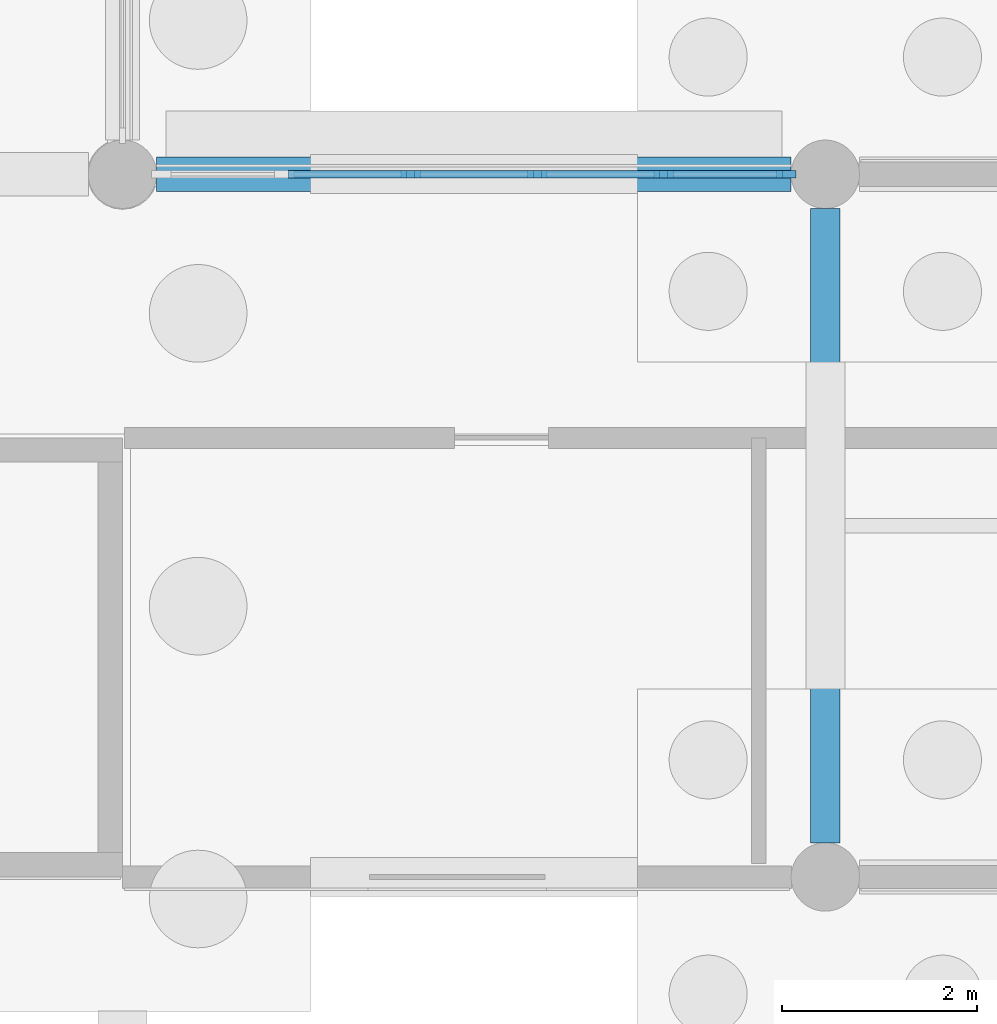
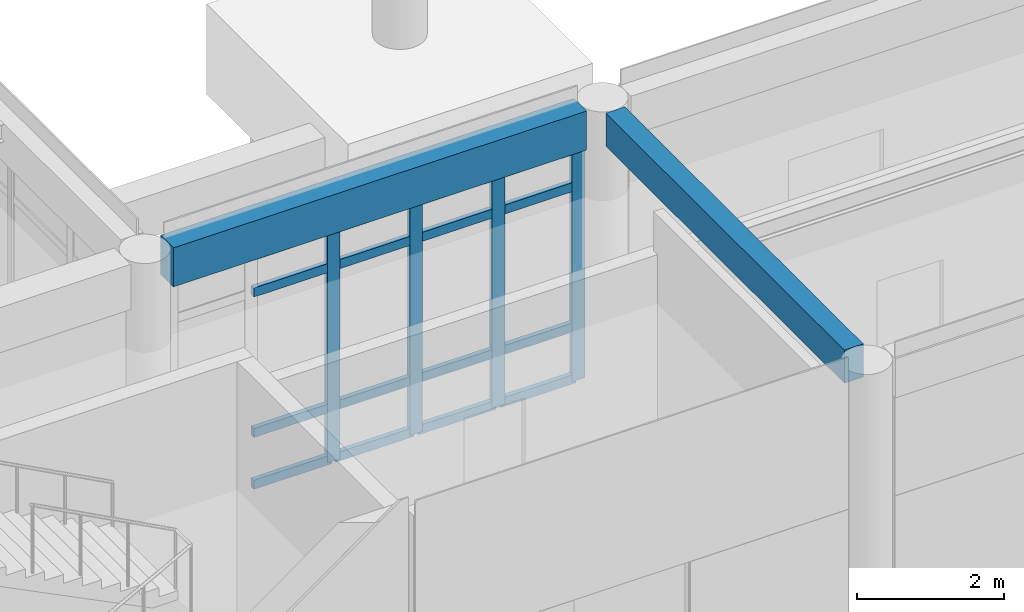
# One storey, part 32 of 103: 20 members, 2 beams, 1 element without a shape of its own.
"""IFC4 building model written with IfcOpenShell, lengths in metres."""

from ifc_helpers import new_model, si_unit, direction, frame, origin, origin_2d, place, context, subcontext, project, spatial, rectangle, extrude, material, layer, layer_set, material_profile, profile_set, type_object, element, aggregate, save


model = new_model("IFC4")

# Units and contexts
model_context = context("Model", 3, precision=1e-05, world=origin(), true_north=direction((0.0, 1.0)))
body_context = subcontext(model_context, "Body", "Model", "MODEL_VIEW")
ifc_project = project(units=[si_unit("LENGTHUNIT", "METRE"), si_unit("AREAUNIT", "SQUARE_METRE"), si_unit("VOLUMEUNIT", "CUBIC_METRE"), si_unit("PLANEANGLEUNIT", "RADIAN"), si_unit("MASSUNIT", "GRAM", prefix="KILO")], contexts=[model_context])

# Site, building, storey
site_placement = place(None, origin())
site = spatial("IfcSite", under=ifc_project, at=site_placement, CompositionType="ELEMENT")
building_placement = place(site_placement, origin())
building = spatial("IfcBuilding", under=site, at=building_placement, Name="Namkhue Oval Health Centre", CompositionType="ELEMENT")
storey_placement = place(building_placement, origin())
storey = spatial("IfcBuildingStorey", under=building, at=storey_placement, Name="L00", CompositionType="ELEMENT", Elevation=0.0)

# Curtain wall, members
ifc_material_1 = material(Name="Anodised aluminium EN AW-6063 T6", Category="aluminium")
ifc_layer = layer(ifc_material_1, 0.159912109375)
ifc_layer_set = layer_set([ifc_layer], Name="Anodised aluminium EN AW-6063 T6")
curtain_wall_type = type_object("IfcCurtainWallType", Name="UNITISED CURTAIN WALL M1350", PredefinedType="NOTDEFINED", material=ifc_layer_set)
curtain_wall_placement = place(storey_placement, origin())
curtain_wall = element("IfcCurtainWall", 1, at=curtain_wall_placement, inside=storey, type_object=curtain_wall_type, Name="Volume V3 L00 Unitised Curtain Wall 92", PredefinedType="NOTDEFINED")
ifc_material_profile_1 = material_profile(ifc_material_1, rectangle(XDim=0.074951171875, YDim=0.199951171875, at=origin_2d()), Name="ALU 75x200")
ifc_profile_set_1 = profile_set([ifc_material_profile_1], Name="Anodised aluminium EN AW-6063 T6")
member_type_1 = type_object("IfcMemberType", Name="CURTAIN WALL MULLION 75X200", PredefinedType="MULLION", material=ifc_profile_set_1)
member_1_placement = place(storey_placement, frame((129.202392578125, 97.199951171875, 0.0), z_axis=(0.0, 0.0, 1.0), x_axis=(0.0, -1.0, 0.0)))
member_1 = element("IfcMember", 2, at=member_1_placement, type_object=member_type_1, Name="CW-02 mullion 1", PredefinedType="MULLION", context=body_context, shape_type="SweptSolid", body=[
    extrude(rectangle(XDim=0.074951171875, YDim=0.199951171875, at=origin_2d()), origin(), (0.0, 0.0, 1.0), 3.885009765625),
])
member_2_placement = place(storey_placement, frame((127.944091796875, 97.199951171875, 0.0), z_axis=(0.0, 0.0, 1.0), x_axis=(0.0, -1.0, 0.0)))
member_2 = element("IfcMember", 3, at=member_2_placement, type_object=member_type_1, Name="CW-02 mullion 2", PredefinedType="MULLION", context=body_context, shape_type="SweptSolid", body=[
    extrude(rectangle(XDim=0.074951171875, YDim=0.199951171875, at=origin_2d()), origin(), (0.0, 0.0, 1.0), 3.885009765625),
])
member_3_placement = place(storey_placement, frame((126.64794921875, 97.199951171875, 0.0), z_axis=(0.0, 0.0, 1.0), x_axis=(0.0, -1.0, 0.0)))
member_3 = element("IfcMember", 4, at=member_3_placement, type_object=member_type_1, Name="CW-02 mullion 3", PredefinedType="MULLION", context=body_context, shape_type="SweptSolid", body=[
    extrude(rectangle(XDim=0.074951171875, YDim=0.199951171875, at=origin_2d()), origin(), (0.0, 0.0, 1.0), 3.885009765625),
])
member_4_placement = place(storey_placement, frame((125.35205078125, 97.199951171875, 0.0), z_axis=(0.0, 0.0, 1.0), x_axis=(0.0, -1.0, 0.0)))
member_4 = element("IfcMember", 5, at=member_4_placement, type_object=member_type_1, Name="CW-02 mullion 4", PredefinedType="MULLION", context=body_context, shape_type="SweptSolid", body=[
    extrude(rectangle(XDim=0.074951171875, YDim=0.199951171875, at=origin_2d()), origin(), (0.0, 0.0, 1.0), 3.885009765625),
])
ifc_material_profile_2 = material_profile(ifc_material_1, rectangle(XDim=0.074951171875, YDim=0.14990234375, at=origin_2d()), Name="ALU 75x150")
ifc_profile_set_2 = profile_set([ifc_material_profile_2], Name="Anodised aluminium EN AW-6063 T6")
member_type_2 = type_object("IfcMemberType", Name="CURTAIN WALL TRANSOM 75X150", PredefinedType="USERDEFINED", material=ifc_profile_set_2)
member_5_placement = place(storey_placement, frame((129.1650390625, 97.199951171875, 0.03759765625), z_axis=(-1.0, 0.0, 0.0), x_axis=(0.0, -1.0, 0.0)))
member_5 = element("IfcMember", 6, at=member_5_placement, type_object=member_type_2, Name="CW-02 transom 1.1", ObjectType="TRANSOM", PredefinedType="USERDEFINED", context=body_context, shape_type="SweptSolid", body=[
    extrude(rectangle(XDim=0.074951171875, YDim=0.14990234375, at=origin_2d()), origin(), (0.0, 0.0, 1.0), 1.18359375),
])
member_6_placement = place(storey_placement, frame((129.1650390625, 97.199951171875, 0.89990234375), z_axis=(-1.0, 0.0, 0.0), x_axis=(0.0, -1.0, 0.0)))
member_6 = element("IfcMember", 7, at=member_6_placement, type_object=member_type_2, Name="CW-02 transom 1.2", ObjectType="TRANSOM", PredefinedType="USERDEFINED", context=body_context, shape_type="SweptSolid", body=[
    extrude(rectangle(XDim=0.074951171875, YDim=0.14990234375, at=origin_2d()), origin(), (0.0, 0.0, 1.0), 1.18359375),
])
member_7_placement = place(storey_placement, frame((129.1650390625, 97.199951171875, 3.235107421875), z_axis=(-1.0, 0.0, 0.0), x_axis=(0.0, -1.0, 0.0)))
member_7 = element("IfcMember", 8, at=member_7_placement, type_object=member_type_2, Name="CW-02 transom 1.3", ObjectType="TRANSOM", PredefinedType="USERDEFINED", context=body_context, shape_type="SweptSolid", body=[
    extrude(rectangle(XDim=0.074951171875, YDim=0.14990234375, at=origin_2d()), origin(), (0.0, 0.0, 1.0), 1.18359375),
])
member_8_placement = place(storey_placement, frame((129.1650390625, 97.199951171875, 3.847412109375), z_axis=(-1.0, 0.0, 0.0), x_axis=(0.0, -1.0, 0.0)))
member_8 = element("IfcMember", 9, at=member_8_placement, type_object=member_type_2, Name="CW-02 transom 1.4", ObjectType="TRANSOM", PredefinedType="USERDEFINED", context=body_context, shape_type="SweptSolid", body=[
    extrude(rectangle(XDim=0.074951171875, YDim=0.14990234375, at=origin_2d()), origin(), (0.0, 0.0, 1.0), 1.18359375),
])
member_9_placement = place(storey_placement, frame((127.906494140625, 97.199951171875, 0.03759765625), z_axis=(-1.0, 0.0, 0.0), x_axis=(0.0, -1.0, 0.0)))
member_9 = element("IfcMember", 10, at=member_9_placement, type_object=member_type_2, Name="CW-02 transom 2.1", ObjectType="TRANSOM", PredefinedType="USERDEFINED", context=body_context, shape_type="SweptSolid", body=[
    extrude(rectangle(XDim=0.074951171875, YDim=0.14990234375, at=origin_2d()), origin(), (0.0, 0.0, 1.0), 1.220947265625),
])
member_10_placement = place(storey_placement, frame((127.906494140625, 97.199951171875, 0.89990234375), z_axis=(-1.0, 0.0, 0.0), x_axis=(0.0, -1.0, 0.0)))
member_10 = element("IfcMember", 11, at=member_10_placement, type_object=member_type_2, Name="CW-02 transom 2.2", ObjectType="TRANSOM", PredefinedType="USERDEFINED", context=body_context, shape_type="SweptSolid", body=[
    extrude(rectangle(XDim=0.074951171875, YDim=0.14990234375, at=origin_2d()), origin(), (0.0, 0.0, 1.0), 1.220947265625),
])
member_11_placement = place(storey_placement, frame((127.906494140625, 97.199951171875, 3.235107421875), z_axis=(-1.0, 0.0, 0.0), x_axis=(0.0, -1.0, 0.0)))
member_11 = element("IfcMember", 12, at=member_11_placement, type_object=member_type_2, Name="CW-02 transom 2.3", ObjectType="TRANSOM", PredefinedType="USERDEFINED", context=body_context, shape_type="SweptSolid", body=[
    extrude(rectangle(XDim=0.074951171875, YDim=0.14990234375, at=origin_2d()), origin(), (0.0, 0.0, 1.0), 1.220947265625),
])
member_12_placement = place(storey_placement, frame((127.906494140625, 97.199951171875, 3.847412109375), z_axis=(-1.0, 0.0, 0.0), x_axis=(0.0, -1.0, 0.0)))
member_12 = element("IfcMember", 13, at=member_12_placement, type_object=member_type_2, Name="CW-02 transom 2.4", ObjectType="TRANSOM", PredefinedType="USERDEFINED", context=body_context, shape_type="SweptSolid", body=[
    extrude(rectangle(XDim=0.074951171875, YDim=0.14990234375, at=origin_2d()), origin(), (0.0, 0.0, 1.0), 1.220947265625),
])
member_13_placement = place(storey_placement, frame((126.610595703125, 97.199951171875, 0.03759765625), z_axis=(-1.0, 0.0, 0.0), x_axis=(0.0, -1.0, 0.0)))
member_13 = element("IfcMember", 14, at=member_13_placement, type_object=member_type_2, Name="CW-02 transom 3.1", ObjectType="TRANSOM", PredefinedType="USERDEFINED", context=body_context, shape_type="SweptSolid", body=[
    extrude(rectangle(XDim=0.074951171875, YDim=0.14990234375, at=origin_2d()), origin(), (0.0, 0.0, 1.0), 1.22119140625),
])
member_14_placement = place(storey_placement, frame((126.610595703125, 97.199951171875, 0.89990234375), z_axis=(-1.0, 0.0, 0.0), x_axis=(0.0, -1.0, 0.0)))
member_14 = element("IfcMember", 15, at=member_14_placement, type_object=member_type_2, Name="CW-02 transom 3.2", ObjectType="TRANSOM", PredefinedType="USERDEFINED", context=body_context, shape_type="SweptSolid", body=[
    extrude(rectangle(XDim=0.074951171875, YDim=0.14990234375, at=origin_2d()), origin(), (0.0, 0.0, 1.0), 1.22119140625),
])
member_15_placement = place(storey_placement, frame((126.610595703125, 97.199951171875, 3.235107421875), z_axis=(-1.0, 0.0, 0.0), x_axis=(0.0, -1.0, 0.0)))
member_15 = element("IfcMember", 16, at=member_15_placement, type_object=member_type_2, Name="CW-02 transom 3.3", ObjectType="TRANSOM", PredefinedType="USERDEFINED", context=body_context, shape_type="SweptSolid", body=[
    extrude(rectangle(XDim=0.074951171875, YDim=0.14990234375, at=origin_2d()), origin(), (0.0, 0.0, 1.0), 1.22119140625),
])
member_16_placement = place(storey_placement, frame((126.610595703125, 97.199951171875, 3.847412109375), z_axis=(-1.0, 0.0, 0.0), x_axis=(0.0, -1.0, 0.0)))
member_16 = element("IfcMember", 17, at=member_16_placement, type_object=member_type_2, Name="CW-02 transom 3.4", ObjectType="TRANSOM", PredefinedType="USERDEFINED", context=body_context, shape_type="SweptSolid", body=[
    extrude(rectangle(XDim=0.074951171875, YDim=0.14990234375, at=origin_2d()), origin(), (0.0, 0.0, 1.0), 1.22119140625),
])
member_17_placement = place(storey_placement, frame((125.314453125, 97.199951171875, 0.03759765625), z_axis=(-1.0, 0.0, 0.0), x_axis=(0.0, -1.0, 0.0)))
member_17 = element("IfcMember", 18, at=member_17_placement, type_object=member_type_2, Name="CW-02 transom 4.1", ObjectType="TRANSOM", PredefinedType="USERDEFINED", context=body_context, shape_type="SweptSolid", body=[
    extrude(rectangle(XDim=0.074951171875, YDim=0.14990234375, at=origin_2d()), origin(), (0.0, 0.0, 1.0), 1.220947265625),
])
member_18_placement = place(storey_placement, frame((125.314453125, 97.199951171875, 0.89990234375), z_axis=(-1.0, 0.0, 0.0), x_axis=(0.0, -1.0, 0.0)))
member_18 = element("IfcMember", 19, at=member_18_placement, type_object=member_type_2, Name="CW-02 transom 4.2", ObjectType="TRANSOM", PredefinedType="USERDEFINED", context=body_context, shape_type="SweptSolid", body=[
    extrude(rectangle(XDim=0.074951171875, YDim=0.14990234375, at=origin_2d()), origin(), (0.0, 0.0, 1.0), 1.220947265625),
])
member_19_placement = place(storey_placement, frame((125.314453125, 97.199951171875, 3.235107421875), z_axis=(-1.0, 0.0, 0.0), x_axis=(0.0, -1.0, 0.0)))
member_19 = element("IfcMember", 20, at=member_19_placement, type_object=member_type_2, Name="CW-02 transom 4.3", ObjectType="TRANSOM", PredefinedType="USERDEFINED", context=body_context, shape_type="SweptSolid", body=[
    extrude(rectangle(XDim=0.074951171875, YDim=0.14990234375, at=origin_2d()), origin(), (0.0, 0.0, 1.0), 1.220947265625),
])
member_20_placement = place(storey_placement, frame((125.314453125, 97.199951171875, 3.847412109375), z_axis=(-1.0, 0.0, 0.0), x_axis=(0.0, -1.0, 0.0)))
member_20 = element("IfcMember", 21, at=member_20_placement, type_object=member_type_2, Name="CW-02 transom 4.4", ObjectType="TRANSOM", PredefinedType="USERDEFINED", context=body_context, shape_type="SweptSolid", body=[
    extrude(rectangle(XDim=0.074951171875, YDim=0.14990234375, at=origin_2d()), origin(), (0.0, 0.0, 1.0), 1.220947265625),
])
aggregate(curtain_wall, [member_1, member_2, member_3, member_4, member_5, member_6, member_7, member_8, member_9, member_10, member_11, member_12, member_13, member_14, member_15, member_16, member_17, member_18, member_19, member_20])

# Beams
ifc_material_2 = material(Name="Reinforced concrete C30/37 (TCVN B35)", Category="concrete")
ifc_material_profile_3 = material_profile(ifc_material_2, rectangle(XDim=0.300048828125, YDim=0.550048828125, at=origin_2d()), Name="RC 300x550")
ifc_profile_set_3 = profile_set([ifc_material_profile_3], Name="Reinforced concrete C30/37 (TCVN B35)")
beam_type_1 = type_object("IfcBeamType", Name="FLOOR BEAM RC 300X550", PredefinedType="BEAM", material=ifc_profile_set_3)
beam_1_placement = place(storey_placement, frame((129.60009765625, 90.35009765625, 4.260009765625), z_axis=(0.0, 1.0, 0.0), x_axis=(-1.0, 0.0, 0.0)))
element("IfcBeam", 22, at=beam_1_placement, inside=storey, type_object=beam_type_1, Name="Volume V3 L01 Beam 19/N-O", PredefinedType="BEAM", context=body_context, shape_type="SweptSolid", body=[
    extrude(rectangle(XDim=0.300048828125, YDim=0.550048828125, at=origin_2d()), origin(), (0.0, 0.0, 1.0), 6.5),
])
ifc_material_3 = material(Name="Reinforced concrete C35/45 (TCVN B40)", Category="concrete")
ifc_material_profile_4 = material_profile(ifc_material_3, rectangle(XDim=0.35009765625, YDim=0.64990234375, at=origin_2d()), Name="RC 350x650")
ifc_profile_set_4 = profile_set([ifc_material_profile_4], Name="Reinforced concrete C35/45 (TCVN B40)")
beam_type_2 = type_object("IfcBeamType", Name="PERIMETER SPANDREL BEAM 350X650", PredefinedType="SPANDREL", material=ifc_profile_set_4)
beam_2_placement = place(storey_placement, frame((122.75, 97.199951171875, 4.2099609375), z_axis=(1.0, 0.0, 0.0), x_axis=(0.0, 1.0, 0.0)))
element("IfcBeam", 23, at=beam_2_placement, inside=storey, type_object=beam_type_2, Name="Volume V3 L01 Girder O/18-19", PredefinedType="SPANDREL", context=body_context, shape_type="SweptSolid", body=[
    extrude(rectangle(XDim=0.35009765625, YDim=0.64990234375, at=origin_2d()), origin(), (0.0, 0.0, 1.0), 6.5),
])

save(model, "model.ifc")
